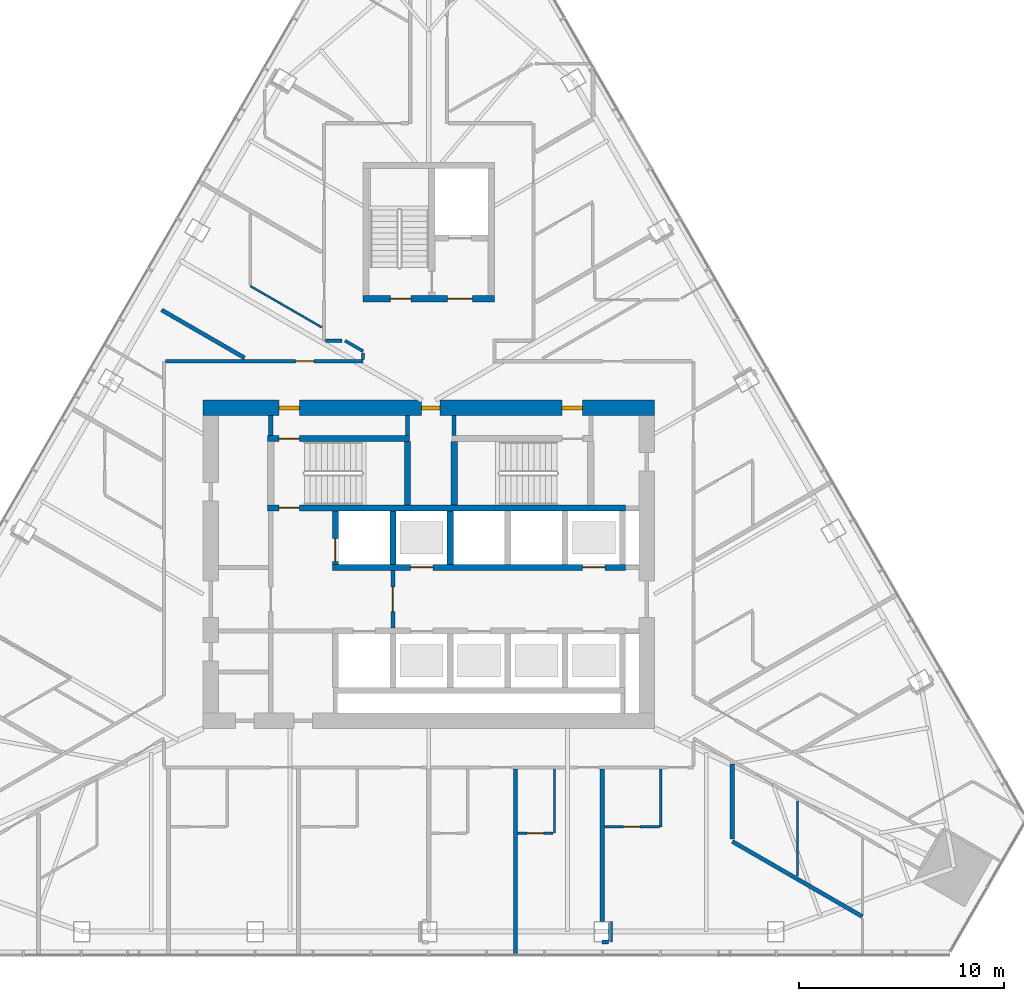
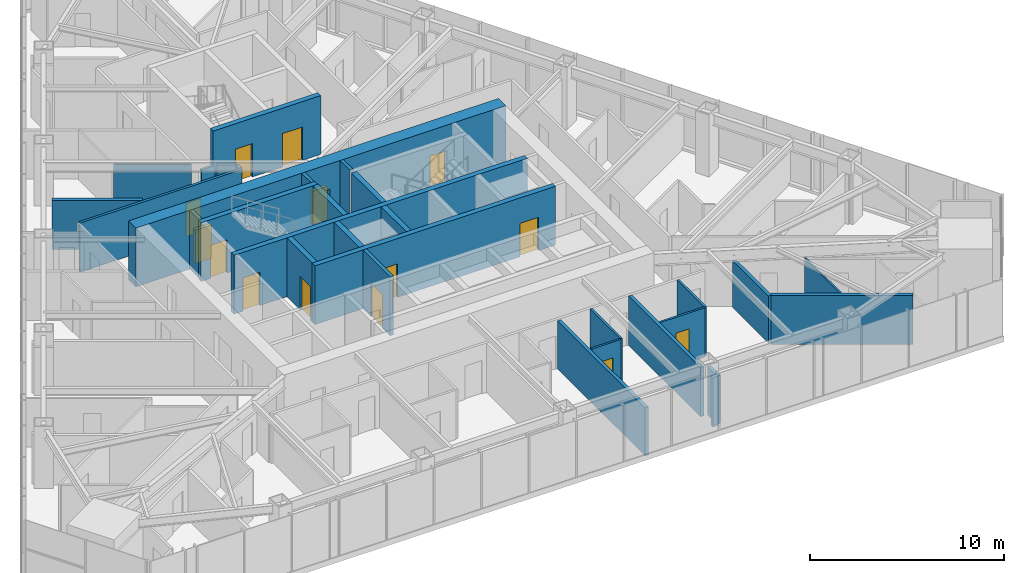
# One storey, part 15 of 20: 31 walls, 14 doors, 14 openings.
"""IFC4 building model written with IfcOpenShell, lengths in metres."""

from ifc_helpers import new_model, si_unit, direction, frame, frame_2d, origin, place, context, subcontext, project, spatial, rectangle, extrude, material, layer, layer_set, type_object, element, fill, save


model = new_model("IFC4")

# Units and contexts
model_context = context("Model", 3, precision=1e-05, world=origin(), true_north=direction((0.0, 1.0)))
body_context = subcontext(model_context, "Body", "Model", "MODEL_VIEW")
ifc_project = project(units=[si_unit("LENGTHUNIT", "METRE"), si_unit("AREAUNIT", "SQUARE_METRE"), si_unit("VOLUMEUNIT", "CUBIC_METRE"), si_unit("PLANEANGLEUNIT", "RADIAN"), si_unit("MASSUNIT", "GRAM", prefix="KILO")], contexts=[model_context])

# Site, building, storey
site_placement = place(None, origin())
site = spatial("IfcSite", under=ifc_project, at=site_placement, CompositionType="ELEMENT")
building_placement = place(site_placement, origin())
building = spatial("IfcBuilding", under=site, at=building_placement, Name="Firuza Gate Tower and Library", CompositionType="ELEMENT")
storey_placement = place(building_placement, frame((0.0, 0.0, 214.300048828125)))
storey = spatial("IfcBuildingStorey", under=building, at=storey_placement, Name="L50", CompositionType="ELEMENT", Elevation=214.300048828125)

# Wall
ifc_material_1 = material(Name="Plasterboard on steel studs", Category="steel")
ifc_layer_1 = layer(ifc_material_1, 0.199951171875)
ifc_layer_set_1 = layer_set([ifc_layer_1], Name="Core partition 200 EI 120")
wall_type_1 = type_object("IfcWallType", Name="Core partition 200 EI 120", PredefinedType="PARTITIONING", material=ifc_layer_set_1)
wall_1_placement = place(storey_placement, frame((67.300048828125, 81.280029296875, 0.0), z_axis=(0.0, 0.0, 1.0), x_axis=(0.0, 1.0, 0.0)))
element("IfcWall", 1, at=wall_1_placement, inside=storey, type_object=wall_type_1, Name="Core partition L50 9", PredefinedType="PARTITIONING", context=body_context, shape_type="SweptSolid", body=[
    extrude(rectangle(XDim=0.969970703125, YDim=0.199951171875, at=frame_2d((0.48486328125, 0.0))), origin(), (0.0, 0.0, 1.0), 3.699951171875),
])

# Wall, opening, door
ifc_material_2 = material(Name="Plasterboard on steel studs", Category="steel")
ifc_layer_2 = layer(ifc_material_2, 0.199951171875)
ifc_layer_set_2 = layer_set([ifc_layer_2], Name="Core partition 200 EI 60")
wall_type_2 = type_object("IfcWallType", Name="Core partition 200 EI 60", PredefinedType="PARTITIONING", material=ifc_layer_set_2)
wall_2_placement = place(storey_placement, frame((73.25, 71.89990234375, 0.0), z_axis=(0.0, 0.0, 1.0), x_axis=(0.0, 1.0, 0.0)))
wall_2 = element("IfcWall", 2, at=wall_2_placement, inside=storey, type_object=wall_type_2, Name="Core partition L50 11", PredefinedType="PARTITIONING", context=body_context, shape_type="SweptSolid", body=[
    extrude(rectangle(XDim=2.800048828125, YDim=0.199951171875, at=frame_2d((1.39990234375, 0.0))), origin(), (0.0, 0.0, 1.0), 3.699951171875),
])
opening_1_placement = place(wall_2_placement, frame((0.800048828125, 0.0, 0.0)))
opening_1 = element("IfcOpeningElement", 3, at=opening_1_placement, cuts=wall_2, Name="Opening L50-K18", PredefinedType="OPENING", context=body_context, shape_type="SweptSolid", body=[
    extrude(rectangle(XDim=1.199951171875, YDim=2.10009765625, at=frame_2d((0.60009765625, 1.050048828125))), frame((0.0, 0.10986328125, 0.0), z_axis=(0.0, -1.0, 0.0), x_axis=(1.0, 0.0, 0.0)), (0.0, 0.0, 1.0), 0.219970703125),
])
ifc_material_3 = material(Name="Steel", Category="steel")
door_type_1 = type_object("IfcDoorType", Name="Fire door 1200x2100 FD90S", OperationType="NOTDEFINED", PredefinedType="DOOR", material=ifc_material_3)
door_1_placement = place(opening_1_placement, origin())
door_1 = element("IfcDoor", 4, at=door_1_placement, inside=storey, type_object=door_type_1, Name="Door L50-K18", OperationType="SINGLE_SWING_LEFT", OverallHeight=2.10009765625, OverallWidth=1.199951171875, PredefinedType="DOOR", context=body_context, shape_type="SweptSolid", body=[
    extrude(rectangle(XDim=1.199951171875, YDim=2.10009765625, at=frame_2d((0.60009765625, 1.050048828125))), frame((0.0, 0.02490234375, 0.0), z_axis=(0.0, -1.0, 0.0), x_axis=(1.0, 0.0, 0.0)), (0.0, 0.0, 1.0), 0.050048828125),
])
fill(opening_1, door_1)

# Walls
for number, where, z_axis, x_axis, name in (
    (5, (73.9599609375, 81.280029296875, 0.0), (0.0, 0.0, 1.0), (0.0, 1.0, 0.0), "Core partition L50 12"),
    (6, (76.239990234375, 81.280029296875, 0.0), (0.0, 0.0, 1.0), (0.0, 1.0, 0.0), "Core partition L50 13"),
):
    element("IfcWall", number, at=place(storey_placement, frame(where, z_axis=z_axis, x_axis=x_axis)), inside=storey, type_object=wall_type_2, Name=name, PredefinedType="PARTITIONING", context=body_context, shape_type="SweptSolid", body=[
        extrude(rectangle(XDim=0.969970703125, YDim=0.199951171875, at=frame_2d((0.48486328125, 0.0))), origin(), (0.0, 0.0, 1.0), 3.699951171875),
    ])

# Wall, openings, doors
ifc_material_4 = material(Name="Concrete C80/95", Category="concrete")
ifc_layer_3 = layer(ifc_material_4, 0.300048828125)
ifc_layer_set_3 = layer_set([ifc_layer_3], Name="Core wall 300 C80/95")
wall_type_3 = type_object("IfcWallType", Name="Core wall 300 C80/95", PredefinedType="SHEAR", material=ifc_layer_set_3)
wall_3_placement = place(storey_placement, frame((70.300048828125, 74.85009765625, 0.0), z_axis=(0.0, 0.0, 1.0), x_axis=(1.0, 0.0, 0.0)))
wall_3 = element("IfcWall", 7, at=wall_3_placement, inside=storey, type_object=wall_type_3, Name="Core wall L50 7", PredefinedType="SHEAR", context=body_context, shape_type="SweptSolid", body=[
    extrude(rectangle(XDim=14.300048828125, YDim=0.300048828125, at=frame_2d((7.14990234375, 0.0))), origin(), (0.0, 0.0, 1.0), 3.699951171875),
])
opening_2_placement = place(wall_3_placement, frame((3.800048828125, 0.0, 0.0)))
opening_2 = element("IfcOpeningElement", 8, at=opening_2_placement, cuts=wall_3, Name="Opening LD-MR4-L50", PredefinedType="OPENING", context=body_context, shape_type="SweptSolid", body=[
    extrude(rectangle(XDim=1.10009765625, YDim=2.10009765625, at=frame_2d((0.550048828125, 1.050048828125))), frame((0.0, 0.16015625, 0.0), z_axis=(0.0, -1.0, 0.0), x_axis=(1.0, 0.0, 0.0)), (0.0, 0.0, 1.0), 0.320068359375),
])
opening_3_placement = place(wall_3_placement, frame((12.199951171875, 0.0, 0.0)))
opening_3 = element("IfcOpeningElement", 9, at=opening_3_placement, cuts=wall_3, Name="Opening LD-MR6-L50", PredefinedType="OPENING", context=body_context, shape_type="SweptSolid", body=[
    extrude(rectangle(XDim=1.10009765625, YDim=2.10009765625, at=frame_2d((0.550048828125, 1.050048828125))), frame((0.0, 0.16015625, 0.0), z_axis=(0.0, -1.0, 0.0), x_axis=(1.0, 0.0, 0.0)), (0.0, 0.0, 1.0), 0.320068359375),
])
ifc_material_5 = material(Name="Stainless steel", Category="steel")
door_type_2 = type_object("IfcDoorType", Name="Lift landing door 1100x2100", OperationType="DOUBLE_DOOR_SLIDING", PredefinedType="DOOR", material=ifc_material_5)
door_2_placement = place(opening_2_placement, origin())
door_2 = element("IfcDoor", 10, at=door_2_placement, inside=storey, type_object=door_type_2, Name="Landing door MR4 L50", OperationType="DOUBLE_DOOR_SLIDING", OverallHeight=2.10009765625, OverallWidth=1.10009765625, PredefinedType="DOOR", context=body_context, shape_type="SweptSolid", body=[
    extrude(rectangle(XDim=1.10009765625, YDim=2.10009765625, at=frame_2d((0.550048828125, 1.050048828125))), frame((0.0, 0.02490234375, 0.0), z_axis=(0.0, -1.0, 0.0), x_axis=(1.0, 0.0, 0.0)), (0.0, 0.0, 1.0), 0.050048828125),
])
fill(opening_2, door_2)
door_3_placement = place(opening_3_placement, origin())
door_3 = element("IfcDoor", 11, at=door_3_placement, inside=storey, type_object=door_type_2, Name="Landing door MR6 L50", OperationType="DOUBLE_DOOR_SLIDING", OverallHeight=2.10009765625, OverallWidth=1.10009765625, PredefinedType="DOOR", context=body_context, shape_type="SweptSolid", body=[
    extrude(rectangle(XDim=1.10009765625, YDim=2.10009765625, at=frame_2d((0.550048828125, 1.050048828125))), frame((0.0, 0.02490234375, 0.0), z_axis=(0.0, -1.0, 0.0), x_axis=(1.0, 0.0, 0.0)), (0.0, 0.0, 1.0), 0.050048828125),
])
fill(opening_3, door_3)

# Wall, opening, door
wall_4_placement = place(storey_placement, frame((70.449951171875, 75.0, 0.0), z_axis=(0.0, 0.0, 1.0), x_axis=(0.0, 1.0, 0.0)))
wall_4 = element("IfcWall", 12, at=wall_4_placement, inside=storey, type_object=wall_type_3, Name="Core wall L50 9", PredefinedType="SHEAR", context=body_context, shape_type="SweptSolid", body=[
    extrude(rectangle(XDim=2.60009765625, YDim=0.300048828125, at=frame_2d((1.300048828125, 0.0))), origin(), (0.0, 0.0, 1.0), 3.699951171875),
])
opening_4_placement = place(wall_4_placement, frame((0.14990234375, 0.0, 0.0)))
opening_4 = element("IfcOpeningElement", 13, at=opening_4_placement, cuts=wall_4, Name="Opening LD-FF2-L50", PredefinedType="OPENING", context=body_context, shape_type="SweptSolid", body=[
    extrude(rectangle(XDim=1.10009765625, YDim=2.10009765625, at=frame_2d((0.550048828125, 1.050048828125))), frame((0.0, 0.16015625, 0.0), z_axis=(0.0, -1.0, 0.0), x_axis=(1.0, 0.0, 0.0)), (0.0, 0.0, 1.0), 0.320068359375),
])
door_4_placement = place(opening_4_placement, origin())
door_4 = element("IfcDoor", 14, at=door_4_placement, inside=storey, type_object=door_type_2, Name="Landing door FF2 L50", OperationType="DOUBLE_DOOR_SLIDING", OverallHeight=2.10009765625, OverallWidth=1.10009765625, PredefinedType="DOOR", context=body_context, shape_type="SweptSolid", body=[
    extrude(rectangle(XDim=1.10009765625, YDim=2.10009765625, at=frame_2d((0.550048828125, 1.050048828125))), frame((0.0, 0.02490234375, 0.0), z_axis=(0.0, -1.0, 0.0), x_axis=(1.0, 0.0, 0.0)), (0.0, 0.0, 1.0), 0.050048828125),
])
fill(opening_4, door_4)

# Walls
for number, where, z_axis, x_axis, name in (
    (15, (73.25, 75.0, 0.0), (0.0, 0.0, 1.0), (0.0, 1.0, 0.0), "Core wall L50 11"),
    (16, (76.050048828125, 75.0, 0.0), (0.0, 0.0, 1.0), (0.0, 1.0, 0.0), "Core wall L50 13"),
):
    element("IfcWall", number, at=place(storey_placement, frame(where, z_axis=z_axis, x_axis=x_axis)), inside=storey, type_object=wall_type_3, Name=name, PredefinedType="SHEAR", context=body_context, shape_type="SweptSolid", body=[
        extrude(rectangle(XDim=2.60009765625, YDim=0.300048828125, at=frame_2d((1.300048828125, 0.0))), origin(), (0.0, 0.0, 1.0), 3.699951171875),
    ])

# Wall, opening, door
wall_5_placement = place(storey_placement, frame((67.14990234375, 77.75, 0.0), z_axis=(0.0, 0.0, 1.0), x_axis=(1.0, 0.0, 0.0)))
wall_5 = element("IfcWall", 17, at=wall_5_placement, inside=storey, type_object=wall_type_3, Name="Core wall L50 20", PredefinedType="SHEAR", context=body_context, shape_type="SweptSolid", body=[
    extrude(rectangle(XDim=17.4501953125, YDim=0.300048828125, at=frame_2d((8.72509765625, 0.0))), origin(), (0.0, 0.0, 1.0), 3.699951171875),
])
opening_5_placement = place(wall_5_placement, frame((0.544921875, 0.0, 0.0)))
opening_5 = element("IfcOpeningElement", 18, at=opening_5_placement, cuts=wall_5, Name="Opening L50-K10", PredefinedType="OPENING", context=body_context, shape_type="SweptSolid", body=[
    extrude(rectangle(XDim=1.0, YDim=2.10009765625, at=frame_2d((0.5, 1.050048828125))), frame((0.0, 0.16015625, 0.0), z_axis=(0.0, -1.0, 0.0), x_axis=(1.0, 0.0, 0.0)), (0.0, 0.0, 1.0), 0.320068359375),
])
ifc_material_6 = material(Name="Steel", Category="steel")
door_type_3 = type_object("IfcDoorType", Name="Fire door 1000x2100 FD90", OperationType="NOTDEFINED", PredefinedType="DOOR", material=ifc_material_6)
door_5_placement = place(opening_5_placement, origin())
door_5 = element("IfcDoor", 19, at=door_5_placement, inside=storey, type_object=door_type_3, Name="Door L50-K10", OperationType="SINGLE_SWING_LEFT", OverallHeight=2.10009765625, OverallWidth=1.0, PredefinedType="DOOR", context=body_context, shape_type="SweptSolid", body=[
    extrude(rectangle(XDim=1.0, YDim=2.10009765625, at=frame_2d((0.5, 1.050048828125))), frame((0.0, 0.02490234375, 0.0), z_axis=(0.0, -1.0, 0.0), x_axis=(1.0, 0.0, 0.0)), (0.0, 0.0, 1.0), 0.050048828125),
])
fill(opening_5, door_5)

wall_6_placement = place(storey_placement, frame((67.14990234375, 81.1298828125, 0.0), z_axis=(0.0, 0.0, 1.0), x_axis=(1.0, 0.0, 0.0)))
wall_6 = element("IfcWall", 20, at=wall_6_placement, inside=storey, type_object=wall_type_3, Name="Core wall L50 21", PredefinedType="SHEAR", context=body_context, shape_type="SweptSolid", body=[
    extrude(rectangle(XDim=6.91015625, YDim=0.300048828125, at=frame_2d((3.455078125, 0.0))), origin(), (0.0, 0.0, 1.0), 3.699951171875),
])
opening_6_placement = place(wall_6_placement, frame((0.544921875, 0.0, 0.0)))
opening_6 = element("IfcOpeningElement", 21, at=opening_6_placement, cuts=wall_6, Name="Opening L50-K11", PredefinedType="OPENING", context=body_context, shape_type="SweptSolid", body=[
    extrude(rectangle(XDim=1.0, YDim=2.10009765625, at=frame_2d((0.5, 1.050048828125))), frame((0.0, 0.16015625, 0.0), z_axis=(0.0, -1.0, 0.0), x_axis=(1.0, 0.0, 0.0)), (0.0, 0.0, 1.0), 0.320068359375),
])
door_6_placement = place(opening_6_placement, origin())
door_6 = element("IfcDoor", 22, at=door_6_placement, inside=storey, type_object=door_type_3, Name="Door L50-K11", OperationType="SINGLE_SWING_RIGHT", OverallHeight=2.10009765625, OverallWidth=1.0, PredefinedType="DOOR", context=body_context, shape_type="SweptSolid", body=[
    extrude(rectangle(XDim=1.0, YDim=2.10009765625, at=frame_2d((0.5, 1.050048828125))), frame((0.0, 0.02490234375, 0.0), z_axis=(0.0, -1.0, 0.0), x_axis=(1.0, 0.0, 0.0)), (0.0, 0.0, 1.0), 0.050048828125),
])
fill(opening_6, door_6)

# Walls
for number, where, z_axis, x_axis, name in (
    (23, (73.9599609375, 77.89990234375, 0.0), (0.0, 0.0, 1.0), (0.0, 1.0, 0.0), "Core wall L50 24"),
    (24, (76.239990234375, 77.89990234375, 0.0), (0.0, 0.0, 1.0), (0.0, 1.0, 0.0), "Core wall L50 25"),
):
    element("IfcWall", number, at=place(storey_placement, frame(where, z_axis=z_axis, x_axis=x_axis)), inside=storey, type_object=wall_type_3, Name=name, PredefinedType="SHEAR", context=body_context, shape_type="SweptSolid", body=[
        extrude(rectangle(XDim=3.080078125, YDim=0.300048828125, at=frame_2d((1.5400390625, 0.0))), origin(), (0.0, 0.0, 1.0), 3.699951171875),
    ])

# Wall, openings, doors
wall_7_placement = place(storey_placement, frame((71.800048828125, 87.949951171875, 0.0), z_axis=(0.0, 0.0, 1.0), x_axis=(1.0, 0.0, 0.0)))
wall_7 = element("IfcWall", 25, at=wall_7_placement, inside=storey, type_object=wall_type_3, Name="Core wall L50 27", PredefinedType="SHEAR", context=body_context, shape_type="SweptSolid", body=[
    extrude(rectangle(XDim=6.39990234375, YDim=0.300048828125, at=frame_2d((3.199951171875, 0.0))), origin(), (0.0, 0.0, 1.0), 3.699951171875),
])
opening_7_placement = place(wall_7_placement, frame((1.324951171875, 0.0, 0.0)))
opening_7 = element("IfcOpeningElement", 26, at=opening_7_placement, cuts=wall_7, Name="Opening L50-K15", PredefinedType="OPENING", context=body_context, shape_type="SweptSolid", body=[
    extrude(rectangle(XDim=1.0, YDim=2.10009765625, at=frame_2d((0.5, 1.050048828125))), frame((0.0, 0.16015625, 0.0), z_axis=(0.0, -1.0, 0.0), x_axis=(1.0, 0.0, 0.0)), (0.0, 0.0, 1.0), 0.320068359375),
])
opening_8_placement = place(wall_7_placement, frame((4.125, 0.0, 0.0)))
opening_8 = element("IfcOpeningElement", 27, at=opening_8_placement, cuts=wall_7, Name="Opening L50-K17", PredefinedType="OPENING", context=body_context, shape_type="SweptSolid", body=[
    extrude(rectangle(XDim=1.199951171875, YDim=2.10009765625, at=frame_2d((0.60009765625, 1.050048828125))), frame((0.0, 0.16015625, 0.0), z_axis=(0.0, -1.0, 0.0), x_axis=(1.0, 0.0, 0.0)), (0.0, 0.0, 1.0), 0.320068359375),
])
door_7_placement = place(opening_7_placement, origin())
door_7 = element("IfcDoor", 28, at=door_7_placement, inside=storey, type_object=door_type_3, Name="Door L50-K15", OperationType="SINGLE_SWING_RIGHT", OverallHeight=2.10009765625, OverallWidth=1.0, PredefinedType="DOOR", context=body_context, shape_type="SweptSolid", body=[
    extrude(rectangle(XDim=1.0, YDim=2.10009765625, at=frame_2d((0.5, 1.050048828125))), frame((0.0, 0.02490234375, 0.0), z_axis=(0.0, -1.0, 0.0), x_axis=(1.0, 0.0, 0.0)), (0.0, 0.0, 1.0), 0.050048828125),
])
fill(opening_7, door_7)
ifc_material_7 = material(Name="Steel", Category="steel")
door_type_4 = type_object("IfcDoorType", Name="Fire door 1200x2100 FD30S", OperationType="NOTDEFINED", PredefinedType="DOOR", material=ifc_material_7)
door_8_placement = place(opening_8_placement, origin())
door_8 = element("IfcDoor", 29, at=door_8_placement, inside=storey, type_object=door_type_4, Name="Door L50-K17", OperationType="SINGLE_SWING_RIGHT", OverallHeight=2.10009765625, OverallWidth=1.199951171875, PredefinedType="DOOR", context=body_context, shape_type="SweptSolid", body=[
    extrude(rectangle(XDim=1.199951171875, YDim=2.10009765625, at=frame_2d((0.60009765625, 1.050048828125))), frame((0.0, 0.02490234375, 0.0), z_axis=(0.0, -1.0, 0.0), x_axis=(1.0, 0.0, 0.0)), (0.0, 0.0, 1.0), 0.050048828125),
])
fill(opening_8, door_8)

ifc_material_8 = material(Name="Concrete C80/95", Category="concrete")
ifc_layer_4 = layer(ifc_material_8, 0.75)
ifc_layer_set_4 = layer_set([ifc_layer_4], Name="Core wall 750 C80/95")
wall_type_4 = type_object("IfcWallType", Name="Core wall 750 C80/95", PredefinedType="SHEAR", material=ifc_layer_set_4)
wall_8_placement = place(storey_placement, frame((64.0, 82.625, 0.0), z_axis=(0.0, 0.0, 1.0), x_axis=(1.0, 0.0, 0.0)))
wall_8 = element("IfcWall", 30, at=wall_8_placement, inside=storey, type_object=wall_type_4, Name="Core wall L50 2", PredefinedType="SHEAR", context=body_context, shape_type="SweptSolid", body=[
    extrude(rectangle(XDim=22.0, YDim=0.75, at=frame_2d((11.0, 0.0))), origin(), (0.0, 0.0, 1.0), 3.699951171875),
])
opening_9_placement = place(wall_8_placement, frame((3.695068359375, 0.0, 0.0)))
opening_9 = element("IfcOpeningElement", 31, at=opening_9_placement, cuts=wall_8, Name="Opening L50-K12", PredefinedType="OPENING", context=body_context, shape_type="SweptSolid", body=[
    extrude(rectangle(XDim=1.0, YDim=2.10009765625, at=frame_2d((0.5, 1.050048828125))), frame((0.0, 0.385009765625, 0.0), z_axis=(0.0, -1.0, 0.0), x_axis=(1.0, 0.0, 0.0)), (0.0, 0.0, 1.0), 0.77001953125),
])
opening_10_placement = place(wall_8_placement, frame((17.5048828125, 0.0, 0.0)))
opening_10 = element("IfcOpeningElement", 32, at=opening_10_placement, cuts=wall_8, Name="Opening L50-K14", PredefinedType="OPENING", context=body_context, shape_type="SweptSolid", body=[
    extrude(rectangle(XDim=1.0, YDim=2.10009765625, at=frame_2d((0.5, 1.050048828125))), frame((0.0, 0.385009765625, 0.0), z_axis=(0.0, -1.0, 0.0), x_axis=(1.0, 0.0, 0.0)), (0.0, 0.0, 1.0), 0.77001953125),
])
opening_11_placement = place(wall_8_placement, frame((10.64990234375, 0.0, 0.0)))
opening_11 = element("IfcOpeningElement", 33, at=opening_11_placement, cuts=wall_8, Name="Opening L50-K26", PredefinedType="OPENING", context=body_context, shape_type="SweptSolid", body=[
    extrude(rectangle(XDim=0.89990234375, YDim=2.10009765625, at=frame_2d((0.449951171875, 1.050048828125))), frame((0.0, 0.385009765625, 0.0), z_axis=(0.0, -1.0, 0.0), x_axis=(1.0, 0.0, 0.0)), (0.0, 0.0, 1.0), 0.77001953125),
])
door_9_placement = place(opening_9_placement, origin())
door_9 = element("IfcDoor", 34, at=door_9_placement, inside=storey, type_object=door_type_3, Name="Door L50-K12", OperationType="SINGLE_SWING_LEFT", OverallHeight=2.10009765625, OverallWidth=1.0, PredefinedType="DOOR", context=body_context, shape_type="SweptSolid", body=[
    extrude(rectangle(XDim=1.0, YDim=2.10009765625, at=frame_2d((0.5, 1.050048828125))), frame((0.0, 0.094970703125, 0.0), z_axis=(0.0, -1.0, 0.0), x_axis=(1.0, 0.0, 0.0)), (0.0, 0.0, 1.0), 0.18994140625),
])
fill(opening_9, door_9)
door_10_placement = place(opening_10_placement, origin())
door_10 = element("IfcDoor", 35, at=door_10_placement, inside=storey, type_object=door_type_3, Name="Door L50-K14", OperationType="SINGLE_SWING_LEFT", OverallHeight=2.10009765625, OverallWidth=1.0, PredefinedType="DOOR", context=body_context, shape_type="SweptSolid", body=[
    extrude(rectangle(XDim=1.0, YDim=2.10009765625, at=frame_2d((0.5, 1.050048828125))), frame((0.0, 0.094970703125, 0.0), z_axis=(0.0, -1.0, 0.0), x_axis=(1.0, 0.0, 0.0)), (0.0, 0.0, 1.0), 0.18994140625),
])
fill(opening_10, door_10)
ifc_material_9 = material(Name="Steel", Category="steel")
door_type_5 = type_object("IfcDoorType", Name="Fire door 900x2100 FD30S", OperationType="NOTDEFINED", PredefinedType="DOOR", material=ifc_material_9)
door_11_placement = place(opening_11_placement, origin())
door_11 = element("IfcDoor", 36, at=door_11_placement, inside=storey, type_object=door_type_5, Name="Door L50-K26", OperationType="SINGLE_SWING_LEFT", OverallHeight=2.10009765625, OverallWidth=0.89990234375, PredefinedType="DOOR", context=body_context, shape_type="SweptSolid", body=[
    extrude(rectangle(XDim=0.89990234375, YDim=2.10009765625, at=frame_2d((0.449951171875, 1.050048828125))), frame((0.0, 0.094970703125, 0.0), z_axis=(0.0, -1.0, 0.0), x_axis=(1.0, 0.0, 0.0)), (0.0, 0.0, 1.0), 0.18994140625),
])
fill(opening_11, door_11)

# Wall, opening, door
ifc_material_10 = material(Name="Gypsum board partition")
ifc_layer_5 = layer(ifc_material_10, 0.14990234375)
ifc_layer_set_5 = layer_set([ifc_layer_5], Name="Corridor wall 150 double board on steel studs")
wall_type_5 = type_object("IfcWallType", Name="Corridor wall 150 double board on steel studs", PredefinedType="PARTITIONING", material=ifc_layer_set_5)
wall_9_placement = place(storey_placement, frame((62.175048828125, 84.89990234375, 0.0), z_axis=(0.0, 0.0, 1.0), x_axis=(1.0, 0.0, 0.0)))
wall_9 = element("IfcWall", 37, at=wall_9_placement, inside=storey, type_object=wall_type_5, Name="f:L50:w009", PredefinedType="PARTITIONING", context=body_context, shape_type="SweptSolid", body=[
    extrude(rectangle(XDim=9.625, YDim=0.14990234375, at=frame_2d((4.8125, 0.0))), origin(), (0.0, 0.0, 1.0), 3.096923828125),
])
opening_12_placement = place(wall_9_placement, frame((6.326171875, 0.0, 0.0)))
opening_12 = element("IfcOpeningElement", 38, at=opening_12_placement, cuts=wall_9, Name="Opening L50-11", PredefinedType="OPENING", context=body_context, shape_type="SweptSolid", body=[
    extrude(rectangle(XDim=0.89990234375, YDim=2.10009765625, at=frame_2d((0.449951171875, 1.050048828125))), frame((0.0, 0.0849609375, 0.0), z_axis=(0.0, -1.0, 0.0), x_axis=(1.0, 0.0, 0.0)), (0.0, 0.0, 1.0), 0.169921875),
])
ifc_material_11 = material(Name="Steel door and timber leaf", Category="steel")
door_type_6 = type_object("IfcDoorType", Name="Fire door 900 x 2100 steel frame, timber leaf", OperationType="NOTDEFINED", PredefinedType="DOOR", material=ifc_material_11)
door_12_placement = place(opening_12_placement, origin())
door_12 = element("IfcDoor", 39, at=door_12_placement, inside=storey, type_object=door_type_6, Name="f:L50:d011", OperationType="SINGLE_SWING_LEFT", OverallHeight=2.10009765625, OverallWidth=0.89990234375, PredefinedType="DOOR", context=body_context, shape_type="SweptSolid", body=[
    extrude(rectangle(XDim=0.89990234375, YDim=2.10009765625, at=frame_2d((0.449951171875, 1.050048828125))), frame((0.0, 0.02490234375, 0.0), z_axis=(0.0, -1.0, 0.0), x_axis=(1.0, 0.0, 0.0)), (0.0, 0.0, 1.0), 0.050048828125),
])
fill(opening_12, door_12)

# Walls
wall_10_placement = place(storey_placement, frame((69.9755859375, 85.89990234375, 0.0), z_axis=(0.0, 0.0, 1.0), x_axis=(1.0, 0.0, 0.0)))
element("IfcWall", 40, at=wall_10_placement, inside=storey, type_object=wall_type_5, Name="f:L50:w011", PredefinedType="PARTITIONING", context=body_context, shape_type="SweptSolid", body=[
    extrude(rectangle(XDim=0.79248046875, YDim=0.14990234375, at=frame_2d((0.396240234375, 0.0))), origin(), (0.0, 0.0, 1.0), 3.096923828125),
])
wall_11_placement = place(storey_placement, frame((71.800048828125, 84.97509765625, 0.0), z_axis=(0.0, 0.0, 1.0), x_axis=(0.0, 1.0, 0.0)))
element("IfcWall", 41, at=wall_11_placement, inside=storey, type_object=wall_type_5, Name="f:L50:w072", PredefinedType="PARTITIONING", context=body_context, shape_type="SweptSolid", body=[
    extrude(rectangle(XDim=0.3291015625, YDim=0.14990234375, at=frame_2d((0.16455078125, 0.0))), origin(), (0.0, 0.0, 1.0), 3.099853515625),
])
wall_12_placement = place(storey_placement, frame((71.80029296875, 85.39111328125, 0.0), z_axis=(0.0, 0.0, 1.0), x_axis=(-0.866021929094, 0.500006018292, 0.0)))
element("IfcWall", 42, at=wall_12_placement, inside=storey, type_object=wall_type_5, Name="f:L50:w099", PredefinedType="PARTITIONING", context=body_context, shape_type="SweptSolid", body=[
    extrude(rectangle(XDim=1.0185546875, YDim=0.14990234375, at=frame_2d((0.50927734375, 0.0))), origin(), (0.0, 0.0, 1.0), 3.099853515625),
])
ifc_material_12 = material(Name="Gypsum board partition")
ifc_layer_6 = layer(ifc_material_12, 0.199951171875)
ifc_layer_set_6 = layer_set([ifc_layer_6], Name="Demising wall 200 acoustic double stud")
wall_type_6 = type_object("IfcWallType", Name="Demising wall 200 acoustic double stud", PredefinedType="PARTITIONING", material=ifc_layer_set_6)
wall_13_placement = place(storey_placement, frame((83.45556640625, 56.596923828125, 0.0), z_axis=(0.0, 0.0, 1.0), x_axis=(1.0, 0.0, 0.0)))
element("IfcWall", 43, at=wall_13_placement, inside=storey, type_object=wall_type_6, Name="f:L50:w001", PredefinedType="PARTITIONING", context=body_context, shape_type="SweptSolid", body=[
    extrude(rectangle(XDim=0.299560546875, YDim=0.199951171875, at=frame_2d((0.14990234375, 0.0))), origin(), (0.0, 0.0, 1.0), 3.099853515625),
])
wall_14_placement = place(storey_placement, frame((89.797119140625, 61.60693359375, 0.0), z_axis=(0.0, 0.0, 1.0), x_axis=(0.0, 1.0, 0.0)))
element("IfcWall", 44, at=wall_14_placement, inside=storey, type_object=wall_type_6, Name="f:L50:w053", PredefinedType="PARTITIONING", context=body_context, shape_type="SweptSolid", body=[
    extrude(rectangle(XDim=3.6640625, YDim=0.199951171875, at=frame_2d((1.83203125, 0.0))), origin(), (0.0, 0.0, 1.0), 2.947021484375),
])
wall_15_placement = place(storey_placement, frame((83.85595703125, 56.597900390625, 0.0), z_axis=(0.0, 0.0, 1.0), x_axis=(0.0, 1.0, 0.0)))
element("IfcWall", 45, at=wall_15_placement, inside=storey, type_object=wall_type_6, Name="f:L50:w057", PredefinedType="PARTITIONING", context=body_context, shape_type="SweptSolid", body=[
    extrude(rectangle(XDim=0.9990234375, YDim=0.199951171875, at=frame_2d((0.49951171875, 0.0))), origin(), (0.0, 0.0, 1.0), 3.02197265625),
])
wall_16_placement = place(storey_placement, frame((83.4560546875, 57.597412109375, 0.0), z_axis=(0.0, 0.0, 1.0), x_axis=(0.0, 1.0, 0.0)))
element("IfcWall", 46, at=wall_16_placement, inside=storey, type_object=wall_type_6, Name="f:L50:w058", PredefinedType="PARTITIONING", context=body_context, shape_type="SweptSolid", body=[
    extrude(rectangle(XDim=7.427490234375, YDim=0.199951171875, at=frame_2d((3.7138671875, 0.0))), origin(), (0.0, 0.0, 1.0), 3.099853515625),
])
wall_17_placement = place(storey_placement, frame((79.22802734375, 55.99755859375, 0.0), z_axis=(0.0, 0.0, 1.0), x_axis=(0.0, 1.0, 0.0)))
element("IfcWall", 47, at=wall_17_placement, inside=storey, type_object=wall_type_6, Name="f:L50:w064", PredefinedType="PARTITIONING", context=body_context, shape_type="SweptSolid", body=[
    extrude(rectangle(XDim=9.02734375, YDim=0.199951171875, at=frame_2d((4.513671875, 0.0))), origin(), (0.0, 0.0, 1.0), 3.02197265625),
])
wall_18_placement = place(storey_placement, frame((66.022705078125, 85.065185546875, 0.0), z_axis=(0.0, 0.0, 1.0), x_axis=(-0.866034108906, 0.499984921984, 0.0)))
element("IfcWall", 48, at=wall_18_placement, inside=storey, type_object=wall_type_6, Name="f:L50:w101", PredefinedType="PARTITIONING", context=body_context, shape_type="SweptSolid", body=[
    extrude(rectangle(XDim=4.670166015625, YDim=0.199951171875, at=frame_2d((2.3349609375, 0.0))), origin(), (0.0, 0.0, 1.0), 3.099853515625),
])
wall_19_placement = place(storey_placement, frame((96.13916015625, 57.830078125, 0.0), z_axis=(0.0, 0.0, 1.0), x_axis=(-0.866014584968, 0.500018738272, 0.0)))
element("IfcWall", 49, at=wall_19_placement, inside=storey, type_object=wall_type_6, Name="f:L50:w110", PredefinedType="PARTITIONING", context=body_context, shape_type="SweptSolid", body=[
    extrude(rectangle(XDim=7.322998046875, YDim=0.199951171875, at=frame_2d((3.66162109375, 0.0))), origin(), (0.0, 0.0, 1.0), 3.099853515625),
])
ifc_material_13 = material(Name="Gypsum board partition")
ifc_layer_7 = layer(ifc_material_13, 0.10009765625)
ifc_layer_set_7 = layer_set([ifc_layer_7], Name="Partition 100 gypsum board on steel studs")
wall_type_7 = type_object("IfcWallType", Name="Partition 100 gypsum board on steel studs", PredefinedType="PARTITIONING", material=ifc_layer_set_7)
wall_20_placement = place(storey_placement, frame((92.968017578125, 59.80615234375, 0.0), z_axis=(0.0, 0.0, 1.0), x_axis=(0.0, 1.0, 0.0)))
element("IfcWall", 50, at=wall_20_placement, inside=storey, type_object=wall_type_7, Name="f:L50:w050", PredefinedType="PARTITIONING", context=body_context, shape_type="SweptSolid", body=[
    extrude(rectangle(XDim=3.6640625, YDim=0.10009765625, at=frame_2d((1.83203125, 0.0))), origin(), (0.0, 0.0, 1.0), 3.099853515625),
])
wall_21_placement = place(storey_placement, frame((69.79931640625, 86.54638671875, 0.0), z_axis=(0.0, 0.0, 1.0), x_axis=(-0.866025579307, 0.499999695987, 0.0)))
element("IfcWall", 51, at=wall_21_placement, inside=storey, type_object=wall_type_7, Name="f:L50:w100", PredefinedType="PARTITIONING", context=body_context, shape_type="SweptSolid", body=[
    extrude(rectangle(XDim=4.0400390625, YDim=0.10009765625, at=frame_2d((2.02001953125, 0.0))), origin(), (0.0, 0.0, 1.0), 3.099853515625),
])

# Wall, opening, door
ifc_material_14 = material(Name="Gypsum board partition")
ifc_layer_8 = layer(ifc_material_14, 0.1201171875)
ifc_layer_set_8 = layer_set([ifc_layer_8], Name="Wet-area partition 120 moisture-resistant board")
wall_type_8 = type_object("IfcWallType", Name="Wet-area partition 120 moisture-resistant board", PredefinedType="PARTITIONING", material=ifc_layer_set_8)
wall_22_placement = place(storey_placement, frame((79.337890625, 61.89990234375, 0.0), z_axis=(0.0, 0.0, 1.0), x_axis=(1.0, 0.0, 0.0)))
wall_22 = element("IfcWall", 52, at=wall_22_placement, inside=storey, type_object=wall_type_8, Name="f:L50:w004", PredefinedType="PARTITIONING", context=body_context, shape_type="SweptSolid", body=[
    extrude(rectangle(XDim=1.722412109375, YDim=0.1201171875, at=frame_2d((0.861328125, 0.0))), origin(), (0.0, 0.0, 1.0), 3.099853515625),
])
opening_13_placement = place(wall_22_placement, frame((0.461181640625, 0.0, 0.0)))
opening_13 = element("IfcOpeningElement", 53, at=opening_13_placement, cuts=wall_22, Name="Opening L50-02", PredefinedType="OPENING", context=body_context, shape_type="SweptSolid", body=[
    extrude(rectangle(XDim=0.800048828125, YDim=2.10009765625, at=frame_2d((0.39990234375, 1.050048828125))), frame((0.0, 0.070068359375, 0.0), z_axis=(0.0, -1.0, 0.0), x_axis=(1.0, 0.0, 0.0)), (0.0, 0.0, 1.0), 0.14013671875),
])
ifc_material_15 = material(Name="Timber door", Category="wood")
door_type_7 = type_object("IfcDoorType", Name="Door 800 x 2100 timber leaf", OperationType="NOTDEFINED", PredefinedType="DOOR", material=ifc_material_15)
door_13_placement = place(opening_13_placement, origin())
door_13 = element("IfcDoor", 54, at=door_13_placement, inside=storey, type_object=door_type_7, Name="f:L50:d002", OperationType="SINGLE_SWING_RIGHT", OverallHeight=2.10009765625, OverallWidth=0.800048828125, PredefinedType="DOOR", context=body_context, shape_type="SweptSolid", body=[
    extrude(rectangle(XDim=0.800048828125, YDim=2.10009765625, at=frame_2d((0.39990234375, 1.050048828125))), frame((0.0, 0.02490234375, 0.0), z_axis=(0.0, -1.0, 0.0), x_axis=(1.0, 0.0, 0.0)), (0.0, 0.0, 1.0), 0.050048828125),
])
fill(opening_13, door_13)

wall_23_placement = place(storey_placement, frame((83.565673828125, 62.199951171875, 0.0), z_axis=(0.0, 0.0, 1.0), x_axis=(1.0, 0.0, 0.0)))
wall_23 = element("IfcWall", 55, at=wall_23_placement, inside=storey, type_object=wall_type_8, Name="f:L50:w007", PredefinedType="PARTITIONING", context=body_context, shape_type="SweptSolid", body=[
    extrude(rectangle(XDim=2.673828125, YDim=0.1201171875, at=frame_2d((1.3369140625, 0.0))), origin(), (0.0, 0.0, 1.0), 3.099853515625),
])
opening_14_placement = place(wall_23_placement, frame((0.93701171875, 0.0, 0.0)))
opening_14 = element("IfcOpeningElement", 56, at=opening_14_placement, cuts=wall_23, Name="Opening L50-05", PredefinedType="OPENING", context=body_context, shape_type="SweptSolid", body=[
    extrude(rectangle(XDim=0.800048828125, YDim=2.10009765625, at=frame_2d((0.39990234375, 1.050048828125))), frame((0.0, 0.070068359375, 0.0), z_axis=(0.0, -1.0, 0.0), x_axis=(1.0, 0.0, 0.0)), (0.0, 0.0, 1.0), 0.14013671875),
])
door_14_placement = place(opening_14_placement, origin())
door_14 = element("IfcDoor", 57, at=door_14_placement, inside=storey, type_object=door_type_7, Name="f:L50:d005", OperationType="SINGLE_SWING_RIGHT", OverallHeight=2.10009765625, OverallWidth=0.800048828125, PredefinedType="DOOR", context=body_context, shape_type="SweptSolid", body=[
    extrude(rectangle(XDim=0.800048828125, YDim=2.10009765625, at=frame_2d((0.39990234375, 1.050048828125))), frame((0.0, 0.02490234375, 0.0), z_axis=(0.0, -1.0, 0.0), x_axis=(1.0, 0.0, 0.0)), (0.0, 0.0, 1.0), 0.050048828125),
])
fill(opening_14, door_14)

# Walls
wall_24_placement = place(storey_placement, frame((86.30908203125, 62.199951171875, 0.0), z_axis=(0.0, 0.0, 1.0), x_axis=(0.0, 1.0, 0.0)))
element("IfcWall", 58, at=wall_24_placement, inside=storey, type_object=wall_type_8, Name="f:L50:w056", PredefinedType="PARTITIONING", context=body_context, shape_type="SweptSolid", body=[
    extrude(rectangle(XDim=2.824951171875, YDim=0.1201171875, at=frame_2d((1.41259765625, 0.0))), origin(), (0.0, 0.0, 1.0), 3.099853515625),
])
wall_25_placement = place(storey_placement, frame((81.1298828125, 61.89990234375, 0.0), z_axis=(0.0, 0.0, 1.0), x_axis=(0.0, 1.0, 0.0)))
element("IfcWall", 59, at=wall_25_placement, inside=storey, type_object=wall_type_8, Name="f:L50:w062", PredefinedType="PARTITIONING", context=body_context, shape_type="SweptSolid", body=[
    extrude(rectangle(XDim=3.125, YDim=0.1201171875, at=frame_2d((1.5625, 0.0))), origin(), (0.0, 0.0, 1.0), 3.099853515625),
])

save(model, "model.ifc")
